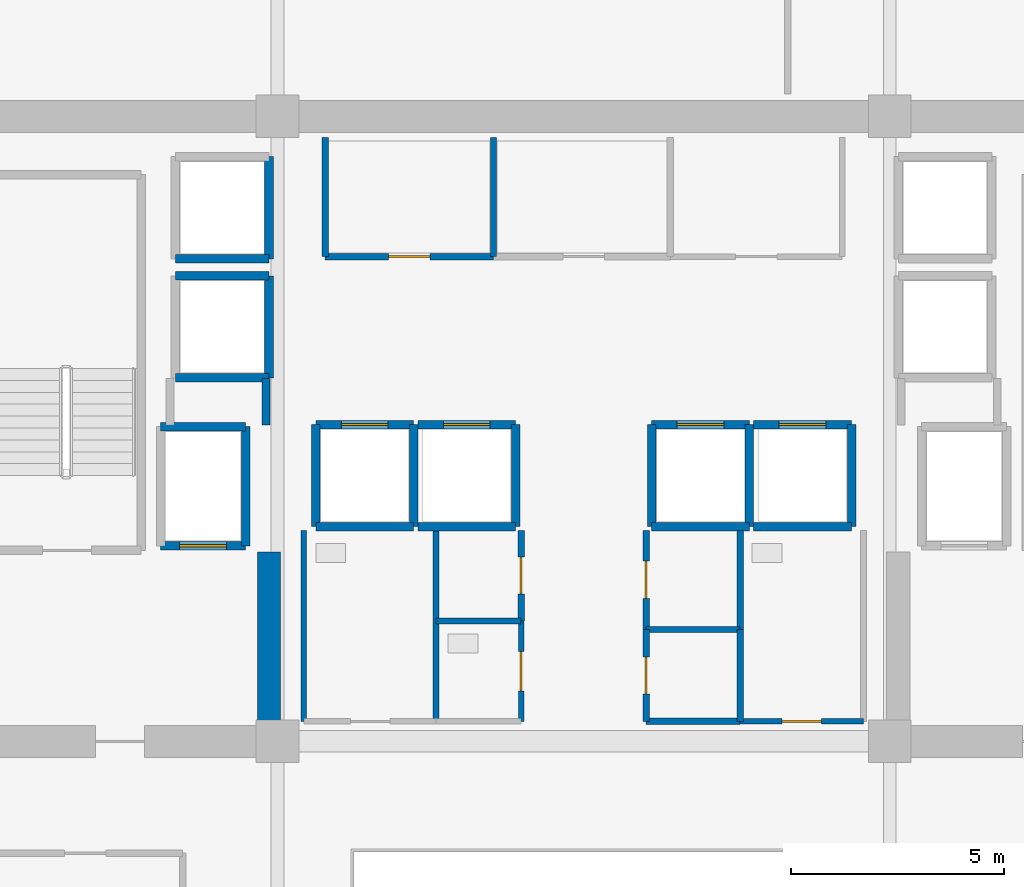
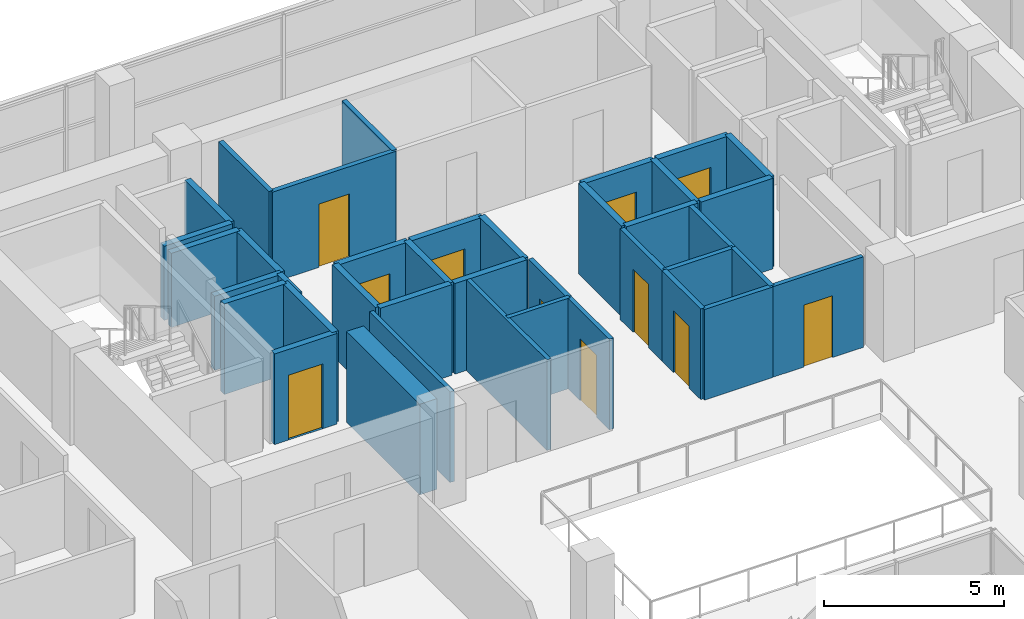
# One storey, part 18 of 24: 39 walls, 11 doors, 11 openings.
"""IFC4 building model written with IfcOpenShell, lengths in metres."""

from ifc_helpers import new_model, si_unit, direction, frame, frame_2d, origin, place, context, subcontext, project, spatial, rectangle, extrude, source, transform, mapped, material, layer, layer_set, type_object, element, fill, save


model = new_model("IFC4")

# Units and contexts
model_context = context("Model", 3, precision=1e-05, world=origin(), true_north=direction((0.0, 1.0)))
body_context = subcontext(model_context, "Body", "Model", "MODEL_VIEW")
ifc_project = project(units=[si_unit("LENGTHUNIT", "METRE"), si_unit("AREAUNIT", "SQUARE_METRE"), si_unit("VOLUMEUNIT", "CUBIC_METRE"), si_unit("PLANEANGLEUNIT", "RADIAN"), si_unit("MASSUNIT", "GRAM", prefix="KILO")], contexts=[model_context])

# Site, building, storey
site_placement = place(None, origin())
site = spatial("IfcSite", under=ifc_project, at=site_placement, CompositionType="ELEMENT")
building_placement = place(site_placement, origin())
building = spatial("IfcBuilding", under=site, at=building_placement, Name="Zarnakvel Exchange Tower", CompositionType="ELEMENT")
storey_placement = place(building_placement, frame((0.0, 0.0, 119.800048828125)))
storey = spatial("IfcBuildingStorey", under=building, at=storey_placement, Name="L33", CompositionType="ELEMENT", Elevation=119.800048828125)

# Wall
ifc_material_1 = material(Name="Concrete C60/75", Category="concrete")
ifc_layer_1 = layer(ifc_material_1, 0.550048828125)
ifc_layer_set_1 = layer_set([ifc_layer_1], Name="Concrete C60/75")
wall_type_1 = type_object("IfcWallType", Name="CW-C4", PredefinedType="SHEAR", material=ifc_layer_set_1)
wall_1_placement = place(storey_placement, frame((-7.39990234375, -0.824951171875, 0.0), z_axis=(0.0, 0.0, 1.0), x_axis=(0.0, 1.0, 0.0)))
element("IfcWall", 1, at=wall_1_placement, inside=storey, type_object=wall_type_1, Name="L33 Rear Core Shear Wall IW (CW-C4)", PredefinedType="SHEAR", context=body_context, shape_type="SweptSolid", body=[
    extrude(rectangle(XDim=4.074951171875, YDim=0.550048828125, at=frame_2d((2.03759765625, 0.0))), origin(), (0.0, 0.0, 1.0), 3.074951171875),
])

# Wall, opening, door
ifc_material_2 = material(Name="Fire-Rated Gypsum Stud Partition", Category="gypsum")
ifc_layer_2 = layer(ifc_material_2, 0.14990234375)
ifc_layer_set_2 = layer_set([ifc_layer_2], Name="Fire-Rated Gypsum Stud Partition")
wall_type_2 = type_object("IfcWallType", Name="PT-01", PredefinedType="PARTITIONING", material=ifc_layer_set_2)
wall_2_placement = place(storey_placement, frame((-2.1201171875, 10.199951171875, 0.0), z_axis=(0.0, 0.0, 1.0), x_axis=(-1.0, 0.0, 0.0)))
wall_2 = element("IfcWall", 2, at=wall_2_placement, inside=storey, type_object=wall_type_2, Name="L33 Partition Wall PWALL-L33-011 (PT-01)", PredefinedType="PARTITIONING", context=body_context, shape_type="SweptSolid", body=[
    extrude(rectangle(XDim=3.9599609375, YDim=0.14990234375, at=frame_2d((1.97998046875, 0.0))), origin(), (0.0, 0.0, 1.0), 3.074951171875),
])
opening_1_placement = place(wall_2_placement, frame((1.489990234375, 0.0, 0.0)))
opening_1 = element("IfcOpeningElement", 3, at=opening_1_placement, cuts=wall_2, Name="Opening D-L33-05", PredefinedType="OPENING", context=body_context, shape_type="SweptSolid", body=[
    extrude(rectangle(XDim=0.97998046875, YDim=2.14990234375, at=frame_2d((0.489990234375, 1.074951171875))), frame((0.0, 0.0849609375, 0.0), z_axis=(0.0, -1.0, 0.0), x_axis=(1.0, 0.0, 0.0)), (0.0, 0.0, 1.0), 0.169921875),
])
ifc_material_3 = material(Name="Timber Acoustic Veneer", Category="wood")
door_type_1 = type_object("IfcDoorType", Name="DT-05", OperationType="NOTDEFINED", PredefinedType="DOOR", material=ifc_material_3)
shared_shape_1 = source(origin(), body_context, "Body", "SweptSolid", [
    extrude(rectangle(XDim=0.97998046875, YDim=2.14990234375, at=frame_2d((0.489990234375, 1.074951171875))), frame((0.0, 0.02490234375, 0.0), z_axis=(0.0, -1.0, 0.0), x_axis=(1.0, 0.0, 0.0)), (0.0, 0.0, 1.0), 0.050048828125),
])
door_1_placement = place(opening_1_placement, origin())
door_1 = element("IfcDoor", 4, at=door_1_placement, inside=storey, type_object=door_type_1, Name="L33 Clearing Records Office Door D-L33-05", OperationType="SINGLE_SWING_LEFT", OverallHeight=2.14990234375, OverallWidth=0.97998046875, PredefinedType="DOOR", context=body_context, shape_type="MappedRepresentation", body=[
    mapped(shared_shape_1, transform((0.0, 0.0, 0.0), x_axis=(1.0, 0.0, 0.0), y_axis=(0.0, 1.0, 0.0), z_axis=(0.0, 0.0, 1.0), scale=1.0)),
])
fill(opening_1, door_1)

# Walls
for number, where, z_axis, x_axis, name in (
    (5, (-6.080078125, 10.199951171875, 0.0), (0.0, 0.0, 1.0), (0.0, 1.0, 0.0), "L33 Partition Wall PWALL-L33-012 (PT-01)"),
    (6, (-2.1201171875, 13.0, 0.0), (0.0, 0.0, 1.0), (0.0, -1.0, 0.0), "L33 Partition Wall PWALL-L33-013 (PT-01)"),
):
    element("IfcWall", number, at=place(storey_placement, frame(where, z_axis=z_axis, x_axis=x_axis)), inside=storey, type_object=wall_type_2, Name=name, PredefinedType="PARTITIONING", context=body_context, shape_type="SweptSolid", body=[
        extrude(rectangle(XDim=2.800048828125, YDim=0.14990234375, at=frame_2d((1.39990234375, 0.0))), origin(), (0.0, 0.0, 1.0), 3.074951171875),
    ])

# Wall, opening, door
wall_3_placement = place(storey_placement, frame((-1.469970703125, 3.760009765625, 0.0), z_axis=(0.0, 0.0, 1.0), x_axis=(0.0, -1.0, 0.0)))
wall_3 = element("IfcWall", 7, at=wall_3_placement, inside=storey, type_object=wall_type_2, Name="L33 Partition Wall PWALL-L33-024 (PT-01)", PredefinedType="PARTITIONING", context=body_context, shape_type="SweptSolid", body=[
    extrude(rectangle(XDim=2.130126953125, YDim=0.14990234375, at=frame_2d((1.06494140625, 0.0))), origin(), (0.0, 0.0, 1.0), 3.074951171875),
])
opening_2_placement = place(wall_3_placement, frame((0.6201171875, 0.0, 0.0)))
opening_2 = element("IfcOpeningElement", 8, at=opening_2_placement, cuts=wall_3, Name="Opening D-L33-10", PredefinedType="OPENING", context=body_context, shape_type="SweptSolid", body=[
    extrude(rectangle(XDim=0.8798828125, YDim=2.10009765625, at=frame_2d((0.43994140625, 1.050048828125))), frame((0.0, 0.0849609375, 0.0), z_axis=(0.0, -1.0, 0.0), x_axis=(1.0, 0.0, 0.0)), (0.0, 0.0, 1.0), 0.169921875),
])
ifc_material_4 = material(Name="Painted Galvanised Steel S355", Category="steel")
door_type_2 = type_object("IfcDoorType", Name="DT-08", OperationType="NOTDEFINED", PredefinedType="DOOR", material=ifc_material_4)
shared_shape_2 = source(origin(), body_context, "Body", "SweptSolid", [
    extrude(rectangle(XDim=0.8798828125, YDim=2.10009765625, at=frame_2d((0.43994140625, 1.050048828125))), frame((0.0, 0.02490234375, 0.0), z_axis=(0.0, -1.0, 0.0), x_axis=(1.0, 0.0, 0.0)), (0.0, 0.0, 1.0), 0.050048828125),
])
door_2_placement = place(opening_2_placement, origin())
door_2 = element("IfcDoor", 9, at=door_2_placement, inside=storey, type_object=door_type_2, Name="L33 Core Comms Room Door D-L33-10", OperationType="SINGLE_SWING_RIGHT", OverallHeight=2.10009765625, OverallWidth=0.8798828125, PredefinedType="DOOR", context=body_context, shape_type="MappedRepresentation", body=[
    mapped(shared_shape_2, transform((0.0, 0.0, 0.0), x_axis=(1.0, 0.0, 0.0), y_axis=(0.0, 1.0, 0.0), z_axis=(0.0, 0.0, 1.0), scale=1.0)),
])
fill(opening_2, door_2)

# Walls
for number, where, z_axis, x_axis, name in (
    (10, (3.679931640625, -0.72998046875, 0.0), (0.0, 0.0, 1.0), (-1.0, 0.0, 0.0), "L33 Partition Wall PWALL-L33-025 (PT-01)"),
    (11, (1.469970703125, 1.429931640625, 0.0), (0.0, 0.0, 1.0), (1.0, 0.0, 0.0), "L33 Partition Wall PWALL-L33-026 (PT-01)"),
):
    element("IfcWall", number, at=place(storey_placement, frame(where, z_axis=z_axis, x_axis=x_axis)), inside=storey, type_object=wall_type_2, Name=name, PredefinedType="PARTITIONING", context=body_context, shape_type="SweptSolid", body=[
        extrude(rectangle(XDim=2.2099609375, YDim=0.14990234375, at=frame_2d((1.10498046875, 0.0))), origin(), (0.0, 0.0, 1.0), 3.074951171875),
    ])

# Wall, opening, door
wall_4_placement = place(storey_placement, frame((1.469970703125, -0.72998046875, 0.0), z_axis=(0.0, 0.0, 1.0), x_axis=(0.0, 1.0, 0.0)))
wall_4 = element("IfcWall", 12, at=wall_4_placement, inside=storey, type_object=wall_type_2, Name="L33 Partition Wall PWALL-L33-027 (PT-01)", PredefinedType="PARTITIONING", context=body_context, shape_type="SweptSolid", body=[
    extrude(rectangle(XDim=2.159912109375, YDim=0.14990234375, at=frame_2d((1.080078125, 0.0))), origin(), (0.0, 0.0, 1.0), 3.074951171875),
])
opening_3_placement = place(wall_4_placement, frame((0.639892578125, 0.0, 0.0)))
opening_3 = element("IfcOpeningElement", 13, at=opening_3_placement, cuts=wall_4, Name="Opening D-L33-11", PredefinedType="OPENING", context=body_context, shape_type="SweptSolid", body=[
    extrude(rectangle(XDim=0.8798828125, YDim=2.10009765625, at=frame_2d((0.43994140625, 1.050048828125))), frame((0.0, 0.0849609375, 0.0), z_axis=(0.0, -1.0, 0.0), x_axis=(1.0, 0.0, 0.0)), (0.0, 0.0, 1.0), 0.169921875),
])
door_3_placement = place(opening_3_placement, origin())
door_3 = element("IfcDoor", 14, at=door_3_placement, inside=storey, type_object=door_type_2, Name="L33 Janitor Store Door D-L33-11", OperationType="SINGLE_SWING_LEFT", OverallHeight=2.10009765625, OverallWidth=0.8798828125, PredefinedType="DOOR", context=body_context, shape_type="MappedRepresentation", body=[
    mapped(shared_shape_2, transform((0.0, 0.0, 0.0), x_axis=(1.0, 0.0, 0.0), y_axis=(0.0, 1.0, 0.0), z_axis=(0.0, 0.0, 1.0), scale=1.0)),
])
fill(opening_3, door_3)

# Wall
wall_5_placement = place(storey_placement, frame((3.679931640625, 1.429931640625, 0.0), z_axis=(0.0, 0.0, 1.0), x_axis=(0.0, -1.0, 0.0)))
element("IfcWall", 15, at=wall_5_placement, inside=storey, type_object=wall_type_2, Name="L33 Partition Wall PWALL-L33-028 (PT-01)", PredefinedType="PARTITIONING", context=body_context, shape_type="SweptSolid", body=[
    extrude(rectangle(XDim=2.159912109375, YDim=0.14990234375, at=frame_2d((1.080078125, 0.0))), origin(), (0.0, 0.0, 1.0), 3.074951171875),
])

# Wall, opening, door
wall_6_placement = place(storey_placement, frame((1.469970703125, 1.429931640625, 0.0), z_axis=(0.0, 0.0, 1.0), x_axis=(0.0, 1.0, 0.0)))
wall_6 = element("IfcWall", 16, at=wall_6_placement, inside=storey, type_object=wall_type_2, Name="L33 Partition Wall PWALL-L33-029 (PT-01)", PredefinedType="PARTITIONING", context=body_context, shape_type="SweptSolid", body=[
    extrude(rectangle(XDim=2.330078125, YDim=0.14990234375, at=frame_2d((1.1650390625, 0.0))), origin(), (0.0, 0.0, 1.0), 3.074951171875),
])
opening_4_placement = place(wall_6_placement, frame((0.72998046875, 0.0, 0.0)))
opening_4 = element("IfcOpeningElement", 17, at=opening_4_placement, cuts=wall_6, Name="Opening D-L33-12", PredefinedType="OPENING", context=body_context, shape_type="SweptSolid", body=[
    extrude(rectangle(XDim=0.8798828125, YDim=2.14990234375, at=frame_2d((0.43994140625, 1.074951171875))), frame((0.0, 0.0849609375, 0.0), z_axis=(0.0, -1.0, 0.0), x_axis=(1.0, 0.0, 0.0)), (0.0, 0.0, 1.0), 0.169921875),
])
shared_shape_3 = source(origin(), body_context, "Body", "SweptSolid", [
    extrude(rectangle(XDim=0.8798828125, YDim=2.14990234375, at=frame_2d((0.43994140625, 1.074951171875))), frame((0.0, 0.02490234375, 0.0), z_axis=(0.0, -1.0, 0.0), x_axis=(1.0, 0.0, 0.0)), (0.0, 0.0, 1.0), 0.050048828125),
])
door_4_placement = place(opening_4_placement, origin())
door_4 = element("IfcDoor", 18, at=door_4_placement, inside=storey, type_object=door_type_1, Name="L33 Stationery Store Door D-L33-12", OperationType="SINGLE_SWING_RIGHT", OverallHeight=2.14990234375, OverallWidth=0.8798828125, PredefinedType="DOOR", context=body_context, shape_type="MappedRepresentation", body=[
    mapped(shared_shape_3, transform((0.0, 0.0, 0.0), x_axis=(1.0, 0.0, 0.0), y_axis=(0.0, 1.0, 0.0), z_axis=(0.0, 0.0, 1.0), scale=1.0)),
])
fill(opening_4, door_4)

# Walls
wall_7_placement = place(storey_placement, frame((3.679931640625, 3.760009765625, 0.0), z_axis=(0.0, 0.0, 1.0), x_axis=(0.0, -1.0, 0.0)))
element("IfcWall", 19, at=wall_7_placement, inside=storey, type_object=wall_type_2, Name="L33 Partition Wall PWALL-L33-030 (PT-01)", PredefinedType="PARTITIONING", context=body_context, shape_type="SweptSolid", body=[
    extrude(rectangle(XDim=2.330078125, YDim=0.14990234375, at=frame_2d((1.1650390625, 0.0))), origin(), (0.0, 0.0, 1.0), 3.074951171875),
])
ifc_layer_3 = layer(ifc_material_2, 0.179931640625)
ifc_layer_set_3 = layer_set([ifc_layer_3], Name="Fire-Rated Gypsum Stud Partition")
wall_type_3 = type_object("IfcWallType", Name="PT-02", PredefinedType="PARTITIONING", material=ifc_layer_set_3)
wall_8_placement = place(storey_placement, frame((-7.469970703125, 7.330078125, 0.0), z_axis=(0.0, 0.0, 1.0), x_axis=(0.0, -1.0, 0.0)))
element("IfcWall", 20, at=wall_8_placement, inside=storey, type_object=wall_type_3, Name="L33 Partition Wall PWALL-L33-008 (PT-02)", PredefinedType="PARTITIONING", context=body_context, shape_type="SweptSolid", body=[
    extrude(rectangle(XDim=1.090087890625, YDim=0.179931640625, at=frame_2d((0.544921875, 0.0))), origin(), (0.0, 0.0, 1.0), 2.514892578125),
])
ifc_material_5 = material(Name="Moisture-Resistant Tile-Faced Partition", Category="gypsum")
ifc_layer_4 = layer(ifc_material_5, 0.135009765625)
ifc_layer_set_4 = layer_set([ifc_layer_4], Name="Moisture-Resistant Tile-Faced Partition")
wall_type_4 = type_object("IfcWallType", Name="PT-03", PredefinedType="PARTITIONING", material=ifc_layer_set_4)
for number, where, z_axis, x_axis, name in (
    (21, (-6.580078125, -0.72998046875, 0.0), (0.0, 0.0, 1.0), (0.0, 1.0, 0.0), "L33 Partition Wall PWALL-L33-019 (PT-03)"),
    (22, (-3.469970703125, 3.760009765625, 0.0), (0.0, 0.0, 1.0), (0.0, -1.0, 0.0), "L33 Partition Wall PWALL-L33-020 (PT-03)"),
):
    element("IfcWall", number, at=place(storey_placement, frame(where, z_axis=z_axis, x_axis=x_axis)), inside=storey, type_object=wall_type_4, Name=name, PredefinedType="PARTITIONING", context=body_context, shape_type="SweptSolid", body=[
        extrude(rectangle(XDim=4.489990234375, YDim=0.135009765625, at=frame_2d((2.2451171875, 0.0))), origin(), (0.0, 0.0, 1.0), 3.074951171875),
    ])
wall_9_placement = place(storey_placement, frame((-3.469970703125, 1.6298828125, 0.0), z_axis=(0.0, 0.0, 1.0), x_axis=(1.0, 0.0, 0.0)))
element("IfcWall", 23, at=wall_9_placement, inside=storey, type_object=wall_type_4, Name="L33 Partition Wall PWALL-L33-022 (PT-03)", PredefinedType="PARTITIONING", context=body_context, shape_type="SweptSolid", body=[
    extrude(rectangle(XDim=2.0, YDim=0.135009765625, at=frame_2d((1.0, 0.0))), origin(), (0.0, 0.0, 1.0), 3.074951171875),
])

# Wall, opening, door
wall_10_placement = place(storey_placement, frame((-1.469970703125, 1.6298828125, 0.0), z_axis=(0.0, 0.0, 1.0), x_axis=(0.0, -1.0, 0.0)))
wall_10 = element("IfcWall", 24, at=wall_10_placement, inside=storey, type_object=wall_type_4, Name="L33 Partition Wall PWALL-L33-023 (PT-03)", PredefinedType="PARTITIONING", context=body_context, shape_type="SweptSolid", body=[
    extrude(rectangle(XDim=2.35986328125, YDim=0.135009765625, at=frame_2d((1.179931640625, 0.0))), origin(), (0.0, 0.0, 1.0), 3.074951171875),
])
opening_5_placement = place(wall_10_placement, frame((0.719970703125, 0.0, 0.0)))
opening_5 = element("IfcOpeningElement", 25, at=opening_5_placement, cuts=wall_10, Name="Opening D-L33-09", PredefinedType="OPENING", context=body_context, shape_type="SweptSolid", body=[
    extrude(rectangle(XDim=0.919921875, YDim=2.10009765625, at=frame_2d((0.4599609375, 1.050048828125))), frame((0.0, 0.077392578125, 0.0), z_axis=(0.0, -1.0, 0.0), x_axis=(1.0, 0.0, 0.0)), (0.0, 0.0, 1.0), 0.155029296875),
])
ifc_material_6 = material(Name="Moisture-Resistant Laminate Timber", Category="wood")
door_type_3 = type_object("IfcDoorType", Name="DT-07", OperationType="NOTDEFINED", PredefinedType="DOOR", material=ifc_material_6)
shared_shape_4 = source(origin(), body_context, "Body", "SweptSolid", [
    extrude(rectangle(XDim=0.919921875, YDim=2.10009765625, at=frame_2d((0.4599609375, 1.050048828125))), frame((0.0, 0.02490234375, 0.0), z_axis=(0.0, -1.0, 0.0), x_axis=(1.0, 0.0, 0.0)), (0.0, 0.0, 1.0), 0.050048828125),
])
door_5_placement = place(opening_5_placement, origin())
door_5 = element("IfcDoor", 26, at=door_5_placement, inside=storey, type_object=door_type_3, Name="L33 Accessible Toilet Door D-L33-09", OperationType="SINGLE_SWING_LEFT", OverallHeight=2.10009765625, OverallWidth=0.919921875, PredefinedType="DOOR", context=body_context, shape_type="MappedRepresentation", body=[
    mapped(shared_shape_4, transform((0.0, 0.0, 0.0), x_axis=(1.0, 0.0, 0.0), y_axis=(0.0, 1.0, 0.0), z_axis=(0.0, 0.0, 1.0), scale=1.0)),
])
fill(opening_5, door_5)

wall_11_placement = place(storey_placement, frame((6.580078125, -0.72998046875, 0.0), z_axis=(0.0, 0.0, 1.0), x_axis=(-1.0, 0.0, 0.0)))
wall_11 = element("IfcWall", 27, at=wall_11_placement, inside=storey, type_object=wall_type_4, Name="L33 Partition Wall PWALL-L33-031 (PT-03)", PredefinedType="PARTITIONING", context=body_context, shape_type="SweptSolid", body=[
    extrude(rectangle(XDim=2.900146484375, YDim=0.135009765625, at=frame_2d((1.4501953125, 0.0))), origin(), (0.0, 0.0, 1.0), 3.074951171875),
])
opening_6_placement = place(wall_11_placement, frame((0.989990234375, 0.0, 0.0)))
opening_6 = element("IfcOpeningElement", 28, at=opening_6_placement, cuts=wall_11, Name="Opening D-L33-13", PredefinedType="OPENING", context=body_context, shape_type="SweptSolid", body=[
    extrude(rectangle(XDim=0.919921875, YDim=2.10009765625, at=frame_2d((0.4599609375, 1.050048828125))), frame((0.0, 0.077392578125, 0.0), z_axis=(0.0, -1.0, 0.0), x_axis=(1.0, 0.0, 0.0)), (0.0, 0.0, 1.0), 0.155029296875),
])
door_6_placement = place(opening_6_placement, origin())
door_6 = element("IfcDoor", 29, at=door_6_placement, inside=storey, type_object=door_type_3, Name="L33 Female Toilet Door D-L33-13", OperationType="SINGLE_SWING_LEFT", OverallHeight=2.10009765625, OverallWidth=0.919921875, PredefinedType="DOOR", context=body_context, shape_type="MappedRepresentation", body=[
    mapped(shared_shape_4, transform((0.0, 0.0, 0.0), x_axis=(1.0, 0.0, 0.0), y_axis=(0.0, 1.0, 0.0), z_axis=(0.0, 0.0, 1.0), scale=1.0)),
])
fill(opening_6, door_6)

ifc_material_7 = material(Name="Concrete C40/50", Category="concrete")
ifc_layer_5 = layer(ifc_material_7, 0.199951171875)
ifc_layer_set_5 = layer_set([ifc_layer_5], Name="Concrete C40/50")
wall_type_5 = type_object("IfcWallType", Name="SW-01", PredefinedType="SOLIDWALL", material=ifc_layer_set_5)
wall_12_placement = place(storey_placement, frame((-7.949951171875, 3.39990234375, 0.0), z_axis=(0.0, 0.0, 1.0), x_axis=(-1.0, 0.0, 0.0)))
wall_12 = element("IfcWall", 30, at=wall_12_placement, inside=storey, type_object=wall_type_5, Name="L33 FL-01 Hoistway Wall South", PredefinedType="SOLIDWALL", context=body_context, shape_type="SweptSolid", body=[
    extrude(rectangle(XDim=2.0, YDim=0.199951171875, at=frame_2d((1.0, 0.0))), origin(), (0.0, 0.0, 1.0), 3.074951171875),
])
opening_7_placement = place(wall_12_placement, frame((0.449951171875, 0.0, 0.0)))
opening_7 = element("IfcOpeningElement", 31, at=opening_7_placement, cuts=wall_12, Name="Opening LD-FL-01-L33", PredefinedType="OPENING", context=body_context, shape_type="SweptSolid", body=[
    extrude(rectangle(XDim=1.10009765625, YDim=2.199951171875, at=frame_2d((0.550048828125, 1.10009765625))), frame((0.0, 0.10986328125, 0.0), z_axis=(0.0, -1.0, 0.0), x_axis=(1.0, 0.0, 0.0)), (0.0, 0.0, 1.0), 0.219970703125),
])
ifc_material_8 = material(Name="Brushed Stainless Steel", Category="steel")
door_type_4 = type_object("IfcDoorType", Name="LDT-01", OperationType="NOTDEFINED", PredefinedType="DOOR", material=ifc_material_8)
shared_shape_5 = source(origin(), body_context, "Body", "SweptSolid", [
    extrude(rectangle(XDim=1.10009765625, YDim=2.199951171875, at=frame_2d((0.550048828125, 1.10009765625))), frame((0.0, 0.02490234375, 0.0), z_axis=(0.0, -1.0, 0.0), x_axis=(1.0, 0.0, 0.0)), (0.0, 0.0, 1.0), 0.050048828125),
])
door_7_placement = place(opening_7_placement, origin())
door_7 = element("IfcDoor", 32, at=door_7_placement, inside=storey, type_object=door_type_4, Name="L33 FL-01 Lift Landing Door LD-FL-01-L33", OperationType="DOUBLE_DOOR_SLIDING", OverallHeight=2.199951171875, OverallWidth=1.10009765625, PredefinedType="DOOR", context=body_context, shape_type="MappedRepresentation", body=[
    mapped(shared_shape_5, transform((0.0, 0.0, 0.0), x_axis=(1.0, 0.0, 0.0), y_axis=(0.0, 1.0, 0.0), z_axis=(0.0, 0.0, 1.0), scale=1.0)),
])
fill(opening_7, door_7)

# Walls
wall_13_placement = place(storey_placement, frame((-9.949951171875, 6.199951171875, 0.0), z_axis=(0.0, 0.0, 1.0), x_axis=(1.0, 0.0, 0.0)))
element("IfcWall", 33, at=wall_13_placement, inside=storey, type_object=wall_type_5, Name="L33 FL-01 Hoistway Wall North", PredefinedType="SOLIDWALL", context=body_context, shape_type="SweptSolid", body=[
    extrude(rectangle(XDim=2.0, YDim=0.199951171875, at=frame_2d((1.0, 0.0))), origin(), (0.0, 0.0, 1.0), 3.074951171875),
])
wall_14_placement = place(storey_placement, frame((-7.949951171875, 6.199951171875, 0.0), z_axis=(0.0, 0.0, 1.0), x_axis=(0.0, -1.0, 0.0)))
element("IfcWall", 34, at=wall_14_placement, inside=storey, type_object=wall_type_5, Name="L33 FL-01 Hoistway Wall East", PredefinedType="SOLIDWALL", context=body_context, shape_type="SweptSolid", body=[
    extrude(rectangle(XDim=2.800048828125, YDim=0.199951171875, at=frame_2d((1.39990234375, 0.0))), origin(), (0.0, 0.0, 1.0), 3.074951171875),
])
wall_15_placement = place(storey_placement, frame((-4.0, 3.85009765625, 0.0), z_axis=(0.0, 0.0, 1.0), x_axis=(-1.0, 0.0, 0.0)))
element("IfcWall", 35, at=wall_15_placement, inside=storey, type_object=wall_type_5, Name="L33 PL-05 Hoistway Wall South", PredefinedType="SOLIDWALL", context=body_context, shape_type="SweptSolid", body=[
    extrude(rectangle(XDim=2.300048828125, YDim=0.199951171875, at=frame_2d((1.14990234375, 0.0))), origin(), (0.0, 0.0, 1.0), 3.074951171875),
])

# Wall, opening, door
wall_16_placement = place(storey_placement, frame((-6.300048828125, 6.25, 0.0), z_axis=(0.0, 0.0, 1.0), x_axis=(1.0, 0.0, 0.0)))
wall_16 = element("IfcWall", 36, at=wall_16_placement, inside=storey, type_object=wall_type_5, Name="L33 PL-05 Hoistway Wall North", PredefinedType="SOLIDWALL", context=body_context, shape_type="SweptSolid", body=[
    extrude(rectangle(XDim=2.300048828125, YDim=0.199951171875, at=frame_2d((1.14990234375, 0.0))), origin(), (0.0, 0.0, 1.0), 3.074951171875),
])
opening_8_placement = place(wall_16_placement, frame((0.60009765625, 0.0, 0.0)))
opening_8 = element("IfcOpeningElement", 37, at=opening_8_placement, cuts=wall_16, Name="Opening LD-PL-05-L33", PredefinedType="OPENING", context=body_context, shape_type="SweptSolid", body=[
    extrude(rectangle(XDim=1.10009765625, YDim=2.199951171875, at=frame_2d((0.550048828125, 1.10009765625))), frame((0.0, 0.10986328125, 0.0), z_axis=(0.0, -1.0, 0.0), x_axis=(1.0, 0.0, 0.0)), (0.0, 0.0, 1.0), 0.219970703125),
])
ifc_material_9 = material(Name="Architectural Bronze Anodised Aluminium", Category="aluminium")
door_type_5 = type_object("IfcDoorType", Name="LDT-02", OperationType="NOTDEFINED", PredefinedType="DOOR", material=ifc_material_9)
door_8_placement = place(opening_8_placement, origin())
door_8 = element("IfcDoor", 38, at=door_8_placement, inside=storey, type_object=door_type_5, Name="L33 PL-05 Lift Landing Door LD-PL-05-L33", OperationType="DOUBLE_DOOR_SLIDING", OverallHeight=2.199951171875, OverallWidth=1.10009765625, PredefinedType="DOOR", context=body_context, shape_type="MappedRepresentation", body=[
    mapped(shared_shape_5, transform((0.0, 0.0, 0.0), x_axis=(1.0, 0.0, 0.0), y_axis=(0.0, 1.0, 0.0), z_axis=(0.0, 0.0, 1.0), scale=1.0)),
])
fill(opening_8, door_8)

# Walls
for number, where, z_axis, x_axis, name in (
    (39, (-6.300048828125, 3.85009765625, 0.0), (0.0, 0.0, 1.0), (0.0, 1.0, 0.0), "L33 PL-05 Hoistway Wall West"),
    (40, (-4.0, 6.25, 0.0), (0.0, 0.0, 1.0), (0.0, -1.0, 0.0), "L33 PL-05 Hoistway Wall East"),
):
    element("IfcWall", number, at=place(storey_placement, frame(where, z_axis=z_axis, x_axis=x_axis)), inside=storey, type_object=wall_type_5, Name=name, PredefinedType="SOLIDWALL", context=body_context, shape_type="SweptSolid", body=[
        extrude(rectangle(XDim=2.39990234375, YDim=0.199951171875, at=frame_2d((1.199951171875, 0.0))), origin(), (0.0, 0.0, 1.0), 3.074951171875),
    ])
wall_17_placement = place(storey_placement, frame((-1.60009765625, 3.85009765625, 0.0), z_axis=(0.0, 0.0, 1.0), x_axis=(-1.0, 0.0, 0.0)))
element("IfcWall", 41, at=wall_17_placement, inside=storey, type_object=wall_type_5, Name="L33 PL-06 Hoistway Wall South", PredefinedType="SOLIDWALL", context=body_context, shape_type="SweptSolid", body=[
    extrude(rectangle(XDim=2.2998046875, YDim=0.199951171875, at=frame_2d((1.14990234375, 0.0))), origin(), (0.0, 0.0, 1.0), 3.074951171875),
])

# Wall, opening, door
wall_18_placement = place(storey_placement, frame((-3.89990234375, 6.25, 0.0), z_axis=(0.0, 0.0, 1.0), x_axis=(1.0, 0.0, 0.0)))
wall_18 = element("IfcWall", 42, at=wall_18_placement, inside=storey, type_object=wall_type_5, Name="L33 PL-06 Hoistway Wall North", PredefinedType="SOLIDWALL", context=body_context, shape_type="SweptSolid", body=[
    extrude(rectangle(XDim=2.2998046875, YDim=0.199951171875, at=frame_2d((1.14990234375, 0.0))), origin(), (0.0, 0.0, 1.0), 3.074951171875),
])
opening_9_placement = place(wall_18_placement, frame((0.60009765625, 0.0, 0.0)))
opening_9 = element("IfcOpeningElement", 43, at=opening_9_placement, cuts=wall_18, Name="Opening LD-PL-06-L33", PredefinedType="OPENING", context=body_context, shape_type="SweptSolid", body=[
    extrude(rectangle(XDim=1.10009765625, YDim=2.199951171875, at=frame_2d((0.550048828125, 1.10009765625))), frame((0.0, 0.10986328125, 0.0), z_axis=(0.0, -1.0, 0.0), x_axis=(1.0, 0.0, 0.0)), (0.0, 0.0, 1.0), 0.219970703125),
])
door_9_placement = place(opening_9_placement, origin())
door_9 = element("IfcDoor", 44, at=door_9_placement, inside=storey, type_object=door_type_5, Name="L33 PL-06 Lift Landing Door LD-PL-06-L33", OperationType="DOUBLE_DOOR_SLIDING", OverallHeight=2.199951171875, OverallWidth=1.10009765625, PredefinedType="DOOR", context=body_context, shape_type="MappedRepresentation", body=[
    mapped(shared_shape_5, transform((0.0, 0.0, 0.0), x_axis=(1.0, 0.0, 0.0), y_axis=(0.0, 1.0, 0.0), z_axis=(0.0, 0.0, 1.0), scale=1.0)),
])
fill(opening_9, door_9)

# Walls
wall_19_placement = place(storey_placement, frame((-1.60009765625, 6.25, 0.0), z_axis=(0.0, 0.0, 1.0), x_axis=(0.0, -1.0, 0.0)))
element("IfcWall", 45, at=wall_19_placement, inside=storey, type_object=wall_type_5, Name="L33 PL-06 Hoistway Wall East", PredefinedType="SOLIDWALL", context=body_context, shape_type="SweptSolid", body=[
    extrude(rectangle(XDim=2.39990234375, YDim=0.199951171875, at=frame_2d((1.199951171875, 0.0))), origin(), (0.0, 0.0, 1.0), 3.074951171875),
])
wall_20_placement = place(storey_placement, frame((3.89990234375, 3.85009765625, 0.0), z_axis=(0.0, 0.0, 1.0), x_axis=(-1.0, 0.0, 0.0)))
element("IfcWall", 46, at=wall_20_placement, inside=storey, type_object=wall_type_5, Name="L33 PL-07 Hoistway Wall South", PredefinedType="SOLIDWALL", context=body_context, shape_type="SweptSolid", body=[
    extrude(rectangle(XDim=2.2998046875, YDim=0.199951171875, at=frame_2d((1.14990234375, 0.0))), origin(), (0.0, 0.0, 1.0), 3.074951171875),
])

# Wall, opening, door
wall_21_placement = place(storey_placement, frame((1.60009765625, 6.25, 0.0), z_axis=(0.0, 0.0, 1.0), x_axis=(1.0, 0.0, 0.0)))
wall_21 = element("IfcWall", 47, at=wall_21_placement, inside=storey, type_object=wall_type_5, Name="L33 PL-07 Hoistway Wall North", PredefinedType="SOLIDWALL", context=body_context, shape_type="SweptSolid", body=[
    extrude(rectangle(XDim=2.2998046875, YDim=0.199951171875, at=frame_2d((1.14990234375, 0.0))), origin(), (0.0, 0.0, 1.0), 3.074951171875),
])
opening_10_placement = place(wall_21_placement, frame((0.60009765625, 0.0, 0.0)))
opening_10 = element("IfcOpeningElement", 48, at=opening_10_placement, cuts=wall_21, Name="Opening LD-PL-07-L33", PredefinedType="OPENING", context=body_context, shape_type="SweptSolid", body=[
    extrude(rectangle(XDim=1.10009765625, YDim=2.199951171875, at=frame_2d((0.550048828125, 1.10009765625))), frame((0.0, 0.10986328125, 0.0), z_axis=(0.0, -1.0, 0.0), x_axis=(1.0, 0.0, 0.0)), (0.0, 0.0, 1.0), 0.219970703125),
])
door_10_placement = place(opening_10_placement, origin())
door_10 = element("IfcDoor", 49, at=door_10_placement, inside=storey, type_object=door_type_5, Name="L33 PL-07 Lift Landing Door LD-PL-07-L33", OperationType="DOUBLE_DOOR_SLIDING", OverallHeight=2.199951171875, OverallWidth=1.10009765625, PredefinedType="DOOR", context=body_context, shape_type="MappedRepresentation", body=[
    mapped(shared_shape_5, transform((0.0, 0.0, 0.0), x_axis=(1.0, 0.0, 0.0), y_axis=(0.0, 1.0, 0.0), z_axis=(0.0, 0.0, 1.0), scale=1.0)),
])
fill(opening_10, door_10)

# Walls
for number, where, z_axis, x_axis, name in (
    (50, (1.60009765625, 3.85009765625, 0.0), (0.0, 0.0, 1.0), (0.0, 1.0, 0.0), "L33 PL-07 Hoistway Wall West"),
    (51, (3.89990234375, 6.25, 0.0), (0.0, 0.0, 1.0), (0.0, -1.0, 0.0), "L33 PL-07 Hoistway Wall East"),
):
    element("IfcWall", number, at=place(storey_placement, frame(where, z_axis=z_axis, x_axis=x_axis)), inside=storey, type_object=wall_type_5, Name=name, PredefinedType="SOLIDWALL", context=body_context, shape_type="SweptSolid", body=[
        extrude(rectangle(XDim=2.39990234375, YDim=0.199951171875, at=frame_2d((1.199951171875, 0.0))), origin(), (0.0, 0.0, 1.0), 3.074951171875),
    ])
wall_22_placement = place(storey_placement, frame((6.300048828125, 3.85009765625, 0.0), z_axis=(0.0, 0.0, 1.0), x_axis=(-1.0, 0.0, 0.0)))
element("IfcWall", 52, at=wall_22_placement, inside=storey, type_object=wall_type_5, Name="L33 PL-08 Hoistway Wall South", PredefinedType="SOLIDWALL", context=body_context, shape_type="SweptSolid", body=[
    extrude(rectangle(XDim=2.300048828125, YDim=0.199951171875, at=frame_2d((1.14990234375, 0.0))), origin(), (0.0, 0.0, 1.0), 3.074951171875),
])

# Wall, opening, door
wall_23_placement = place(storey_placement, frame((4.0, 6.25, 0.0), z_axis=(0.0, 0.0, 1.0), x_axis=(1.0, 0.0, 0.0)))
wall_23 = element("IfcWall", 53, at=wall_23_placement, inside=storey, type_object=wall_type_5, Name="L33 PL-08 Hoistway Wall North", PredefinedType="SOLIDWALL", context=body_context, shape_type="SweptSolid", body=[
    extrude(rectangle(XDim=2.300048828125, YDim=0.199951171875, at=frame_2d((1.14990234375, 0.0))), origin(), (0.0, 0.0, 1.0), 3.074951171875),
])
opening_11_placement = place(wall_23_placement, frame((0.60009765625, 0.0, 0.0)))
opening_11 = element("IfcOpeningElement", 54, at=opening_11_placement, cuts=wall_23, Name="Opening LD-PL-08-L33", PredefinedType="OPENING", context=body_context, shape_type="SweptSolid", body=[
    extrude(rectangle(XDim=1.10009765625, YDim=2.199951171875, at=frame_2d((0.550048828125, 1.10009765625))), frame((0.0, 0.10986328125, 0.0), z_axis=(0.0, -1.0, 0.0), x_axis=(1.0, 0.0, 0.0)), (0.0, 0.0, 1.0), 0.219970703125),
])
door_11_placement = place(opening_11_placement, origin())
door_11 = element("IfcDoor", 55, at=door_11_placement, inside=storey, type_object=door_type_5, Name="L33 PL-08 Lift Landing Door LD-PL-08-L33", OperationType="DOUBLE_DOOR_SLIDING", OverallHeight=2.199951171875, OverallWidth=1.10009765625, PredefinedType="DOOR", context=body_context, shape_type="MappedRepresentation", body=[
    mapped(shared_shape_5, transform((0.0, 0.0, 0.0), x_axis=(1.0, 0.0, 0.0), y_axis=(0.0, 1.0, 0.0), z_axis=(0.0, 0.0, 1.0), scale=1.0)),
])
fill(opening_11, door_11)

# Walls
wall_24_placement = place(storey_placement, frame((6.300048828125, 6.25, 0.0), z_axis=(0.0, 0.0, 1.0), x_axis=(0.0, -1.0, 0.0)))
element("IfcWall", 56, at=wall_24_placement, inside=storey, type_object=wall_type_5, Name="L33 PL-08 Hoistway Wall East", PredefinedType="SOLIDWALL", context=body_context, shape_type="SweptSolid", body=[
    extrude(rectangle(XDim=2.39990234375, YDim=0.199951171875, at=frame_2d((1.199951171875, 0.0))), origin(), (0.0, 0.0, 1.0), 3.074951171875),
])
for number, where, z_axis, x_axis, name in (
    (57, (-7.39990234375, 7.35009765625, 0.0), (0.0, 0.0, 1.0), (-1.0, 0.0, 0.0), "L33 PL-09 Hoistway Wall South"),
    (58, (-9.60009765625, 9.75, 0.0), (0.0, 0.0, 1.0), (1.0, 0.0, 0.0), "L33 PL-09 Hoistway Wall North"),
):
    element("IfcWall", number, at=place(storey_placement, frame(where, z_axis=z_axis, x_axis=x_axis)), inside=storey, type_object=wall_type_5, Name=name, PredefinedType="SOLIDWALL", context=body_context, shape_type="SweptSolid", body=[
        extrude(rectangle(XDim=2.2001953125, YDim=0.199951171875, at=frame_2d((1.10009765625, 0.0))), origin(), (0.0, 0.0, 1.0), 2.514892578125),
    ])
wall_25_placement = place(storey_placement, frame((-7.39990234375, 9.75, 0.0), z_axis=(0.0, 0.0, 1.0), x_axis=(0.0, -1.0, 0.0)))
element("IfcWall", 59, at=wall_25_placement, inside=storey, type_object=wall_type_5, Name="L33 PL-09 Hoistway Wall East", PredefinedType="SOLIDWALL", context=body_context, shape_type="SweptSolid", body=[
    extrude(rectangle(XDim=2.39990234375, YDim=0.199951171875, at=frame_2d((1.199951171875, 0.0))), origin(), (0.0, 0.0, 1.0), 2.514892578125),
])
wall_26_placement = place(storey_placement, frame((-7.39990234375, 10.14990234375, 0.0), z_axis=(0.0, 0.0, 1.0), x_axis=(-1.0, 0.0, 0.0)))
element("IfcWall", 60, at=wall_26_placement, inside=storey, type_object=wall_type_5, Name="L33 PL-10 Hoistway Wall South", PredefinedType="SOLIDWALL", context=body_context, shape_type="SweptSolid", body=[
    extrude(rectangle(XDim=2.2001953125, YDim=0.199951171875, at=frame_2d((1.10009765625, 0.0))), origin(), (0.0, 0.0, 1.0), 2.514892578125),
])
wall_27_placement = place(storey_placement, frame((-7.39990234375, 12.550048828125, 0.0), z_axis=(0.0, 0.0, 1.0), x_axis=(0.0, -1.0, 0.0)))
element("IfcWall", 61, at=wall_27_placement, inside=storey, type_object=wall_type_5, Name="L33 PL-10 Hoistway Wall East", PredefinedType="SOLIDWALL", context=body_context, shape_type="SweptSolid", body=[
    extrude(rectangle(XDim=2.400146484375, YDim=0.199951171875, at=frame_2d((1.2001953125, 0.0))), origin(), (0.0, 0.0, 1.0), 2.514892578125),
])

save(model, "model.ifc")
